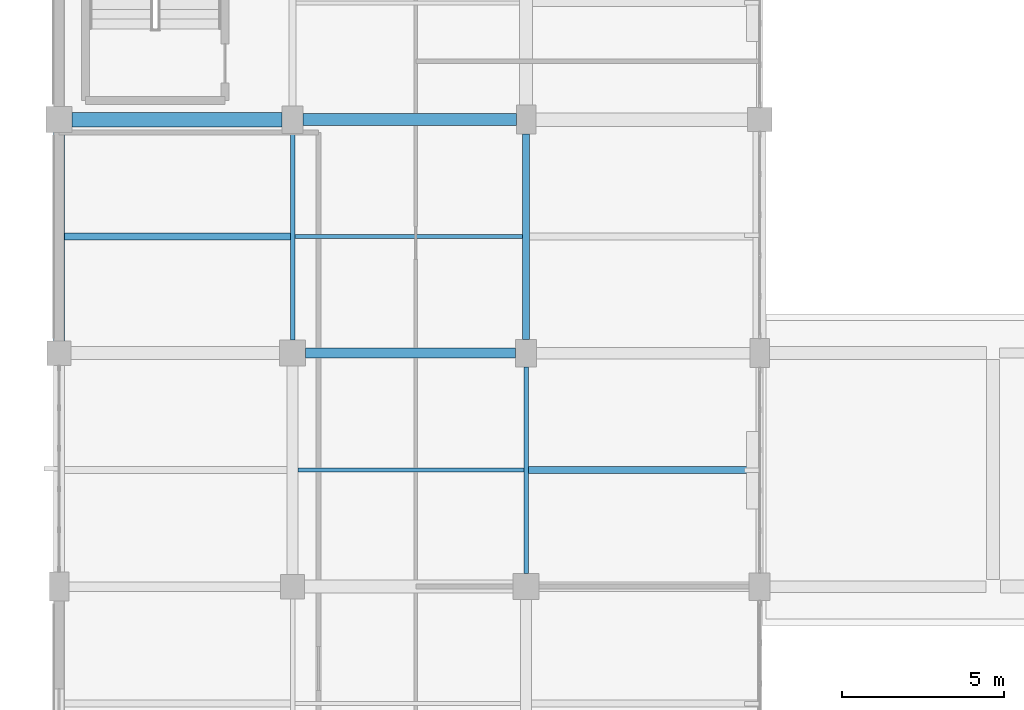
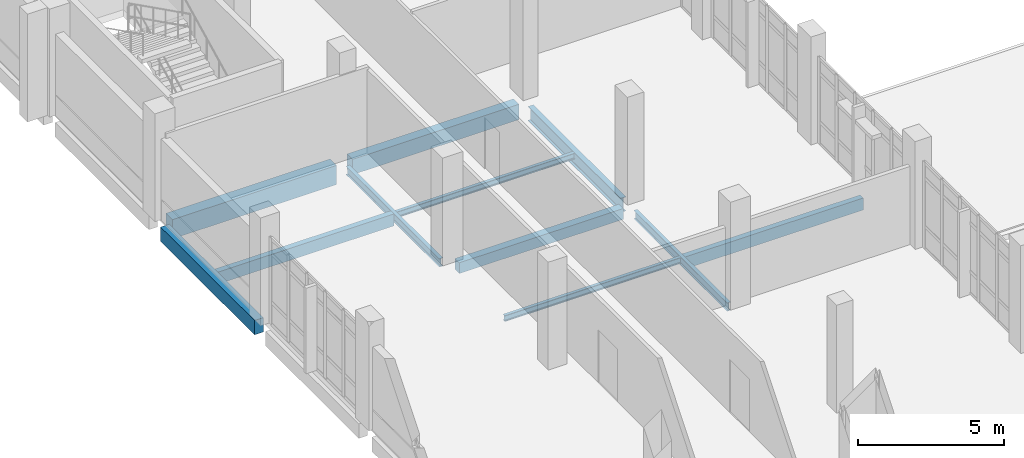
# One storey, part 16 of 134: 11 beams.
"""IFC4 building model written with IfcOpenShell, lengths in metres."""

import ifcopenshell
import ifcopenshell.guid

model = None  # the IFC model being written
_history = None  # IfcOwnerHistory: only IFC2X3 demands one
_inside = {}  # id of a spatial element -> (the spatial element, [elements in it])
_under = {}  # id of a project, library or spatial element -> (it, [spatial elements below it])
_declared = {}  # id of a project -> (the project, [libraries it declares])
_typed = {}  # id of a type object -> (the type object, [elements of that type])
_made_of = {}  # id of a material, layer set ... -> (it, [elements and type objects made of it])


def new_model(schema):
    """Start an empty IFC model of exactly this schema.

    Asked for "IFC4X3", IfcOpenShell would pick the latest addendum, in which some entities
    have other attributes; the version numbers below select the first issue.
    IFC2X3 requires an IfcOwnerHistory on every rooted entity: one is made here for all.
    """
    global model, _history
    if schema == "IFC4X3":
        model = ifcopenshell.file(schema_version=(4, 3, 0, 0))
    else:
        model = ifcopenshell.file(schema=schema)
    _inside.clear()
    _under.clear()
    _declared.clear()
    _typed.clear()
    _made_of.clear()
    _history = None
    if model.schema == "IFC2X3":
        org = make("IfcOrganization", Name="unknown")
        user = make(
            "IfcPersonAndOrganization",
            ThePerson=make("IfcPerson", FamilyName="unknown"),
            TheOrganization=org,
        )
        app = make(
            "IfcApplication",
            ApplicationDeveloper=org,
            Version="unknown",
            ApplicationFullName="unknown",
            ApplicationIdentifier="unknown",
        )
        _history = make(
            "IfcOwnerHistory",
            OwningUser=user,
            OwningApplication=app,
            ChangeAction="ADDED",
            CreationDate=0,
        )
    return model


def make(cls, **values):
    """One entity of the class cls with the attributes given. An attribute that is None is left unset."""
    return model.create_entity(
        cls, **{name: value for name, value in values.items() if value is not None}
    )


def rooted(cls, **values):
    """An entity with a GlobalId (a new one), such as an element, a storey or a relation."""
    return make(cls, GlobalId=ifcopenshell.guid.new(), OwnerHistory=_history, **values)


def si_unit(unit_type, name, prefix=None):
    """IfcSIUnit, for example si_unit("LENGTHUNIT", "METRE", prefix="MILLI")."""
    return make("IfcSIUnit", UnitType=unit_type, Prefix=prefix, Name=name)


def assignment(units):
    """IfcUnitAssignment: the units of a project."""
    return None if units is None else make("IfcUnitAssignment", Units=units)


def point(xyz):
    """IfcCartesianPoint."""
    return None if xyz is None else make("IfcCartesianPoint", Coordinates=xyz)


def direction(xyz):
    """IfcDirection."""
    return None if xyz is None else make("IfcDirection", DirectionRatios=xyz)


def frame(location, z_axis=None, x_axis=None):
    """IfcAxis2Placement3D, a coordinate frame: its origin and axes. An axis left out is left unset."""
    return make(
        "IfcAxis2Placement3D",
        Location=point(location),
        Axis=direction(z_axis),
        RefDirection=direction(x_axis),
    )


def frame_2d(location, x_axis=None):
    """IfcAxis2Placement2D, a coordinate frame in the plane: its origin and x axis."""
    return make(
        "IfcAxis2Placement2D", Location=point(location), RefDirection=direction(x_axis)
    )


def origin():
    """The frame at (0, 0, 0) with its axes left unset."""
    return frame((0.0, 0.0, 0.0))


def origin_2d():
    """The frame at (0, 0) in the plane with its x axis left unset."""
    return frame_2d((0.0, 0.0))


def place(relative_to, where):
    """IfcLocalPlacement: puts the frame where relative to a parent placement (None: the world)."""
    return make(
        "IfcLocalPlacement", PlacementRelTo=relative_to, RelativePlacement=where
    )


def context(
    kind, dimensions, precision=None, world=None, true_north=None, identifier=None
):
    """IfcGeometricRepresentationContext, for example the 3D "Model" context."""
    return make(
        "IfcGeometricRepresentationContext",
        ContextIdentifier=identifier,
        ContextType=kind,
        CoordinateSpaceDimension=dimensions,
        Precision=precision,
        WorldCoordinateSystem=world,
        TrueNorth=true_north,
    )


def subcontext(parent, identifier, kind, view, scale=None):
    """IfcGeometricRepresentationSubContext, for example "Body" below "Model"."""
    return make(
        "IfcGeometricRepresentationSubContext",
        ContextIdentifier=identifier,
        ContextType=kind,
        ParentContext=parent,
        TargetScale=scale,
        TargetView=view,
    )


def project(units=None, contexts=None):
    """IfcProject with its units and contexts."""
    return rooted(
        "IfcProject",
        Name="project",
        RepresentationContexts=contexts,
        UnitsInContext=assignment(units),
    )


def spatial(cls, under=None, at=None, **own):
    """A site, building, storey or space (cls), placed at a placement, below another one or the project."""
    s = rooted(cls, ObjectPlacement=at, **own)
    if under is not None:
        _under.setdefault(under.id(), (under, []))[1].append(s)
    return s


def profile(cls, at=None, kind="AREA", **sizes):
    """A parametric profile (cls). Its sizes go by their IFC names, for example OverallWidth=200.0."""
    return make(cls, ProfileType=kind, Position=at, **sizes)


def rectangle(**sizes):
    """IfcRectangleProfileDef."""
    return profile("IfcRectangleProfileDef", **sizes)


def i_section(**sizes):
    """IfcIShapeProfileDef."""
    return profile("IfcIShapeProfileDef", **sizes)


def extrude(swept, where, along, depth):
    """IfcExtrudedAreaSolid: the profile swept, set in the frame where, extruded along a direction by depth."""
    return make(
        "IfcExtrudedAreaSolid",
        SweptArea=swept,
        Position=where,
        ExtrudedDirection=direction(along),
        Depth=depth,
    )


def shape(context_of_items, identifier, shape_type, items):
    """IfcShapeRepresentation: the items that make up one representation, for example the "Body"."""
    return make(
        "IfcShapeRepresentation",
        ContextOfItems=context_of_items,
        RepresentationIdentifier=identifier,
        RepresentationType=shape_type,
        Items=items,
    )


def material(Name=None, Category=None):
    """IfcMaterial."""
    return make("IfcMaterial", Name=Name, Category=Category)


def material_profile(
    of_material, cross_section, Name=None, Category=None, Priority=None
):
    """IfcMaterialProfile: a cross section and its material."""
    return make(
        "IfcMaterialProfile",
        Name=Name,
        Material=of_material,
        Profile=cross_section,
        Priority=Priority,
        Category=Category,
    )


def profile_set(profiles, Name=None, composite=None):
    """IfcMaterialProfileSet."""
    return make(
        "IfcMaterialProfileSet",
        Name=Name,
        MaterialProfiles=profiles,
        CompositeProfile=composite,
    )


def made_of(thing, what):
    """Note that an element or type object is made of a material, layer set ...; save() writes the relation."""
    if what is not None:
        _made_of.setdefault(what.id(), (what, []))[1].append(thing)
    return thing


def type_object(cls, material=None, **own):
    """A type object (cls), such as IfcWallType, which elements share."""
    return made_of(rooted(cls, **own), material)


def element(
    cls,
    number,
    at=None,
    inside=None,
    cuts=None,
    type_object=None,
    material=None,
    context=None,
    identifier="Body",
    shape_type=None,
    held_by="IfcProductDefinitionShape",
    body=None,
    shapes=None,
    **own,
):
    """One element of the class cls, such as IfcWall. Its Tag is "e" and its number.

    at: its placement. inside: the storey or other place that contains it. cuts: it is an
    opening in that element (IfcRelVoidsElement). A single representation is given by context,
    identifier, shape_type and body (its items); several are given by shapes. held_by: the class
    of the entity that holds the representations. save() writes the other relations.
    """
    e = rooted(cls, Tag="e%d" % number, ObjectPlacement=at, **own)
    if body is not None:
        shapes = [shape(context, identifier, shape_type, body)]
    if shapes is not None:
        e.Representation = make(held_by, Representations=shapes)
    if inside is not None:
        _inside.setdefault(inside.id(), (inside, []))[1].append(e)
    if cuts is not None:
        rooted(
            "IfcRelVoidsElement", RelatingBuildingElement=cuts, RelatedOpeningElement=e
        )
    if type_object is not None:
        _typed.setdefault(type_object.id(), (type_object, []))[1].append(e)
    return made_of(e, material)


def aggregate(whole, parts):
    """IfcRelAggregates: a whole, such as a stair, and the parts it consists of."""
    return rooted("IfcRelAggregates", RelatingObject=whole, RelatedObjects=parts)


def save(model, path):
    """Write the relations noted so far, then the file.

    IfcRelAggregates (storeys below a building ...), IfcRelContainedInSpatialStructure (elements
    in a storey), IfcRelDefinesByType, IfcRelAssociatesMaterial and IfcRelDeclares: one each for
    every whole, place, type object, material and project.
    """
    for whole, parts in _under.values():
        aggregate(whole, parts)
    for where, things in _inside.values():
        rooted(
            "IfcRelContainedInSpatialStructure",
            RelatedElements=things,
            RelatingStructure=where,
        )
    for kind, things in _typed.values():
        rooted("IfcRelDefinesByType", RelatedObjects=things, RelatingType=kind)
    for what, things in _made_of.values():
        rooted("IfcRelAssociatesMaterial", RelatedObjects=things, RelatingMaterial=what)
    for by, libraries in _declared.values():
        rooted("IfcRelDeclares", RelatingContext=by, RelatedDefinitions=libraries)
    model.write(path)


model = new_model("IFC4")

# Units and contexts
model_context = context("Model", 3, precision=1e-05, world=origin(), true_north=direction((0.0, 1.0)))
body_context = subcontext(model_context, "Body", "Model", "MODEL_VIEW")
ifc_project = project(units=[si_unit("LENGTHUNIT", "METRE"), si_unit("AREAUNIT", "SQUARE_METRE"), si_unit("VOLUMEUNIT", "CUBIC_METRE"), si_unit("PLANEANGLEUNIT", "RADIAN"), si_unit("MASSUNIT", "GRAM", prefix="KILO")], contexts=[model_context])

# Site, building, storey
site_placement = place(None, origin())
site = spatial("IfcSite", under=ifc_project, at=site_placement, CompositionType="ELEMENT")
building_placement = place(site_placement, origin())
building = spatial("IfcBuilding", under=site, at=building_placement, Name="Kalluvel Institute of Natural Sciences", CompositionType="ELEMENT")
storey_placement = place(building_placement, frame((0.0, 0.0, 5.39990234375)))
storey = spatial("IfcBuildingStorey", under=building, at=storey_placement, Name="L01", CompositionType="ELEMENT", Elevation=5.39990234375)

# Beams
ifc_material_1 = material(Name="Steel E350 Grade 350", Category="steel")
ifc_material_profile_1 = material_profile(ifc_material_1, i_section(OverallWidth=0.139892578125, OverallDepth=0.35009765625, WebThickness=0.008056640625, FlangeThickness=0.01416015625, FilletRadius=0.013916015625, at=origin_2d()), Name="ISMB 350")
ifc_profile_set_1 = profile_set([ifc_material_profile_1], Name="Steel E350 Grade 350")
beam_type_1 = type_object("IfcBeamType", Name="BM-ISMB350", PredefinedType="BEAM", material=ifc_profile_set_1)
for number, where, z_axis, x_axis, name in (
    (1, (21.199951171875, 36.0, -0.474853515625), (0.0, 1.0, 0.0), (-1.0, 0.0, 0.0), "L01 girder GIR-L01-NS-X212-Y356"),
    (2, (28.39990234375, 28.800048828125, -0.474853515625), (0.0, 1.0, 0.0), (-1.0, 0.0, 0.0), "L01 girder GIR-L01-NS-X284-Y284"),
):
    element("IfcBeam", number, at=place(storey_placement, frame(where, z_axis=z_axis, x_axis=x_axis)), inside=storey, type_object=beam_type_1, Name=name, PredefinedType="BEAM", context=body_context, shape_type="SweptSolid", body=[
        extrude(i_section(OverallWidth=0.139892578125, OverallDepth=0.35009765625, WebThickness=0.008056640625, FlangeThickness=0.01416015625, FilletRadius=0.013916015625, at=origin_2d()), origin(), (0.0, 0.0, 1.0), 6.375),
    ])
ifc_material_profile_2 = material_profile(ifc_material_1, i_section(OverallWidth=0.2099609375, OverallDepth=0.60009765625, WebThickness=0.011962890625, FlangeThickness=0.020751953125, FilletRadius=0.02001953125, at=origin_2d()), Name="ISMB 600")
ifc_profile_set_2 = profile_set([ifc_material_profile_2], Name="Steel E350 Grade 350")
beam_type_2 = type_object("IfcBeamType", Name="BM-ISMB600", PredefinedType="BEAM", material=ifc_profile_set_2)
beam_1_placement = place(storey_placement, frame((28.39990234375, 36.02490234375, -0.599853515625), z_axis=(0.0, 1.0, 0.0), x_axis=(-1.0, 0.0, 0.0)))
element("IfcBeam", 3, at=beam_1_placement, inside=storey, type_object=beam_type_2, Name="L01 girder GIR-L01-NS-X284-Y356", PredefinedType="BEAM", context=body_context, shape_type="SweptSolid", body=[
    extrude(i_section(OverallWidth=0.2099609375, OverallDepth=0.60009765625, WebThickness=0.011962890625, FlangeThickness=0.020751953125, FilletRadius=0.02001953125, at=origin_2d()), origin(), (0.0, 0.0, 1.0), 6.3251953125),
])
ifc_material_2 = material(Name="Concrete M40", Category="concrete")
ifc_material_profile_3 = material_profile(ifc_material_2, rectangle(XDim=0.3798828125, YDim=0.639892578125, at=origin_2d()), Name="RCB 380x640")
ifc_profile_set_3 = profile_set([ifc_material_profile_3], Name="Concrete M40")
beam_type_3 = type_object("IfcBeamType", Name="BM-RC380x640", PredefinedType="BEAM", material=ifc_profile_set_3)
beam_2_placement = place(storey_placement, frame((21.52490234375, 42.800048828125, -0.619873046875), z_axis=(1.0, 0.0, 0.0), x_axis=(0.0, 1.0, 0.0)))
element("IfcBeam", 4, at=beam_2_placement, inside=storey, type_object=beam_type_3, Name="L01 girder GIR-L01-EW-X212-Y428", PredefinedType="BEAM", context=body_context, shape_type="SweptSolid", body=[
    extrude(rectangle(XDim=0.3798828125, YDim=0.639892578125, at=origin_2d()), origin(), (0.0, 0.0, 1.0), 6.5751953125),
])
ifc_material_profile_4 = material_profile(ifc_material_2, rectangle(XDim=0.449951171875, YDim=0.800048828125, at=origin_2d()), Name="RCB 450x800")
ifc_profile_set_4 = profile_set([ifc_material_profile_4], Name="Concrete M40")
beam_type_4 = type_object("IfcBeamType", Name="BM-RC450x800", PredefinedType="BEAM", material=ifc_profile_set_4)
beam_3_placement = place(storey_placement, frame((14.39990234375, 42.800048828125, -0.699951171875), z_axis=(1.0, 0.0, 0.0), x_axis=(0.0, 1.0, 0.0)))
element("IfcBeam", 5, at=beam_3_placement, inside=storey, type_object=beam_type_4, Name="L01 girder GIR-L01-EW-X140-Y428", PredefinedType="BEAM", context=body_context, shape_type="SweptSolid", body=[
    extrude(rectangle(XDim=0.449951171875, YDim=0.800048828125, at=origin_2d()), origin(), (0.0, 0.0, 1.0), 6.47509765625),
])
ifc_material_profile_5 = material_profile(ifc_material_2, rectangle(XDim=0.300048828125, YDim=0.449951171875, at=origin_2d()), Name="RCB 300x450")
ifc_profile_set_5 = profile_set([ifc_material_profile_5], Name="Concrete M40")
beam_type_5 = type_object("IfcBeamType", Name="SP-RC300x450", PredefinedType="SPANDREL", material=ifc_profile_set_5)
beam_4_placement = place(storey_placement, frame((21.60009765625, 35.60009765625, -0.52490234375), z_axis=(1.0, 0.0, 0.0), x_axis=(0.0, 1.0, 0.0)))
element("IfcBeam", 6, at=beam_4_placement, inside=storey, type_object=beam_type_5, Name="L01 girder GIR-L01-EW-X212-Y356", PredefinedType="SPANDREL", context=body_context, shape_type="SweptSolid", body=[
    extrude(rectangle(XDim=0.300048828125, YDim=0.449951171875, at=origin_2d()), origin(), (0.0, 0.0, 1.0), 6.474853515625),
])
ifc_material_profile_6 = material_profile(ifc_material_2, rectangle(XDim=0.35009765625, YDim=0.60009765625, at=origin_2d()), Name="RCB 350x600")
ifc_profile_set_6 = profile_set([ifc_material_profile_6], Name="Concrete M40")
beam_type_6 = type_object("IfcBeamType", Name="SP-RC350x600", PredefinedType="SPANDREL", material=ifc_profile_set_6)
beam_5_placement = place(storey_placement, frame((14.0, 35.97509765625, -0.599853515625), z_axis=(0.0, 1.0, 0.0), x_axis=(-1.0, 0.0, 0.0)))
element("IfcBeam", 7, at=beam_5_placement, inside=storey, type_object=beam_type_6, Name="L01 girder GIR-L01-NS-X140-Y356", PredefinedType="SPANDREL", context=body_context, shape_type="SweptSolid", body=[
    extrude(rectangle(XDim=0.35009765625, YDim=0.60009765625, at=origin_2d()), origin(), (0.0, 0.0, 1.0), 6.4248046875),
])
ifc_material_profile_7 = material_profile(ifc_material_2, rectangle(XDim=0.219970703125, YDim=0.5, at=origin_2d()), Name="WAF 220x500")
ifc_profile_set_7 = profile_set([ifc_material_profile_7], Name="Concrete M40")
beam_type_7 = type_object("IfcBeamType", Name="WJ-220x500", PredefinedType="JOIST", material=ifc_profile_set_7)
beam_6_placement = place(storey_placement, frame((28.469970703125, 32.0, -0.5498046875), z_axis=(1.0, 0.0, 0.0), x_axis=(0.0, 1.0, 0.0)))
element("IfcBeam", 8, at=beam_6_placement, inside=storey, type_object=beam_type_7, Name="L01 floor rib RIB-L01-0633", PredefinedType="JOIST", context=body_context, shape_type="SweptSolid", body=[
    extrude(rectangle(XDim=0.219970703125, YDim=0.5, at=origin_2d()), origin(), (0.0, 0.0, 1.0), 7.025146484375),
])
beam_7_placement = place(storey_placement, frame((14.175048828125, 39.199951171875, -0.5498046875), z_axis=(1.0, 0.0, 0.0), x_axis=(0.0, 1.0, 0.0)))
element("IfcBeam", 9, at=beam_7_placement, inside=storey, type_object=beam_type_7, Name="L01 floor rib RIB-L01-0634", PredefinedType="JOIST", context=body_context, shape_type="SweptSolid", body=[
    extrude(rectangle(XDim=0.219970703125, YDim=0.5, at=origin_2d()), origin(), (0.0, 0.0, 1.0), 6.954833984375),
])
ifc_material_profile_8 = material_profile(ifc_material_1, i_section(OverallWidth=0.125, OverallDepth=0.25, WebThickness=0.0068359375, FlangeThickness=0.012451171875, FilletRadius=0.012939453125, at=origin_2d()), Name="ISMB 250")
ifc_profile_set_8 = profile_set([ifc_material_profile_8], Name="Steel E350 Grade 350")
beam_type_8 = type_object("IfcBeamType", Name="WJ-ISMB250", PredefinedType="JOIST", material=ifc_profile_set_8)
beam_8_placement = place(storey_placement, frame((21.375, 32.0, -0.4248046875), z_axis=(1.0, 0.0, 0.0), x_axis=(0.0, 1.0, 0.0)))
element("IfcBeam", 10, at=beam_8_placement, inside=storey, type_object=beam_type_8, Name="L01 floor rib RIB-L01-0632", PredefinedType="JOIST", context=body_context, shape_type="SweptSolid", body=[
    extrude(i_section(OverallWidth=0.125, OverallDepth=0.25, WebThickness=0.0068359375, FlangeThickness=0.012451171875, FilletRadius=0.012939453125, at=origin_2d()), origin(), (0.0, 0.0, 1.0), 6.955078125),
])
beam_9_placement = place(storey_placement, frame((21.27001953125, 39.199951171875, -0.4248046875), z_axis=(1.0, 0.0, 0.0), x_axis=(0.0, 1.0, 0.0)))
element("IfcBeam", 11, at=beam_9_placement, inside=storey, type_object=beam_type_8, Name="L01 floor rib RIB-L01-0635", PredefinedType="JOIST", context=body_context, shape_type="SweptSolid", body=[
    extrude(i_section(OverallWidth=0.125, OverallDepth=0.25, WebThickness=0.0068359375, FlangeThickness=0.012451171875, FilletRadius=0.012939453125, at=origin_2d()), origin(), (0.0, 0.0, 1.0), 7.02490234375),
])

save(model, "model.ifc")
